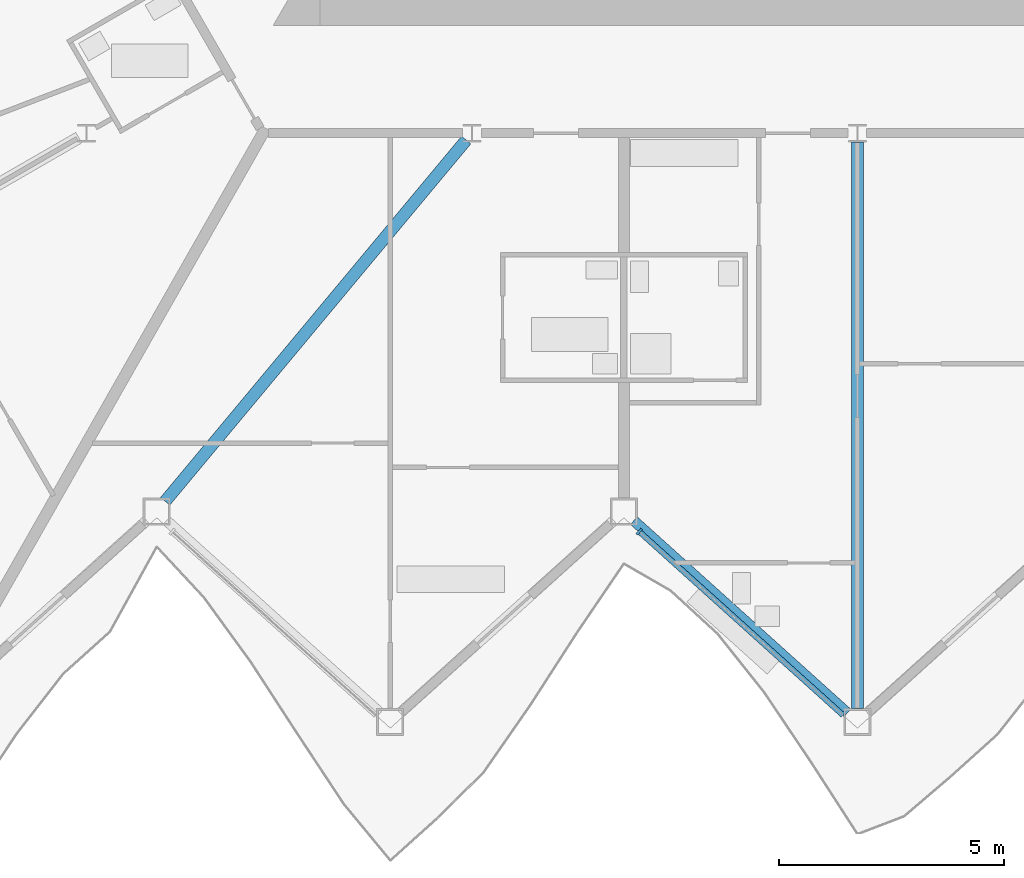
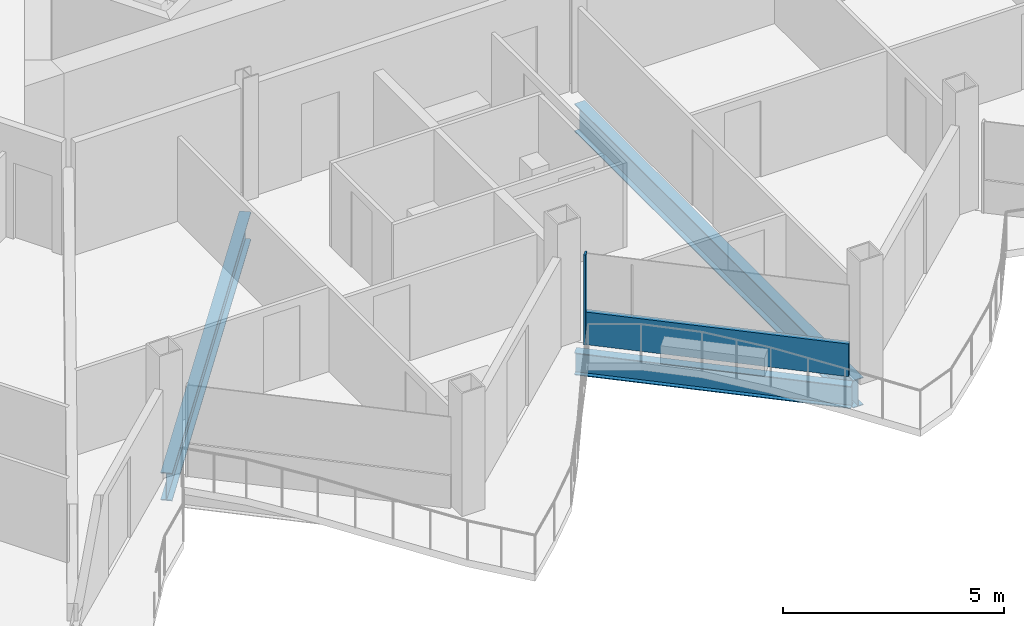
# One storey, part 5 of 26: 3 beams, 2 members, 1 element without a shape of its own.
"""IFC4 building model written with IfcOpenShell, lengths in metres."""

from ifc_helpers import new_model, si_unit, direction, frame, origin, origin_2d, place, context, subcontext, project, spatial, rectangle, i_section, extrude, material, layer, layer_set, material_profile, profile_set, type_object, element, aggregate, save


model = new_model("IFC4")

# Units and contexts
model_context = context("Model", 3, precision=1e-05, world=origin(), true_north=direction((0.0, 1.0)))
body_context = subcontext(model_context, "Body", "Model", "MODEL_VIEW")
ifc_project = project(units=[si_unit("LENGTHUNIT", "METRE"), si_unit("AREAUNIT", "SQUARE_METRE"), si_unit("VOLUMEUNIT", "CUBIC_METRE"), si_unit("PLANEANGLEUNIT", "RADIAN"), si_unit("MASSUNIT", "GRAM", prefix="KILO")], contexts=[model_context])

# Site, building, storey
site_placement = place(None, origin())
site = spatial("IfcSite", under=ifc_project, at=site_placement, CompositionType="ELEMENT")
building_placement = place(site_placement, origin())
building = spatial("IfcBuilding", under=site, at=building_placement, Name="Cormorant Prow Tower", CompositionType="ELEMENT")
storey_placement = place(building_placement, frame((0.0, 0.0, 339.199951171875)))
storey = spatial("IfcBuildingStorey", under=building, at=storey_placement, Name="L76", CompositionType="ELEMENT", Elevation=339.199951171875)

# Beams
ifc_material_1 = material(Name="Structural steel ASTM A992 Gr 50", Category="steel")
ifc_material_profile_1 = material_profile(ifc_material_1, i_section(OverallWidth=0.267822265625, OverallDepth=0.77001953125, WebThickness=0.015625, FlangeThickness=0.025390625, at=origin_2d()), Name="W30x132")
ifc_profile_set_1 = profile_set([ifc_material_profile_1], Name="Structural steel ASTM A992 Gr 50")
beam_type_1 = type_object("IfcBeamType", Name="Radial floor beam W30x132", PredefinedType="BEAM", material=ifc_profile_set_1)
beam_1_placement = place(storey_placement, frame((-8.705078125, -10.057373046875, -0.684814453125), z_axis=(-0.640239469619, -0.768175384624, 0.0), x_axis=(0.768175384624, -0.640239469619, 0.0)))
element("IfcBeam", 1, at=beam_1_placement, inside=storey, type_object=beam_type_1, Name="Radial floor beam FB3 6 L76", PredefinedType="BEAM", context=body_context, shape_type="SweptSolid", body=[
    extrude(i_section(OverallWidth=0.267822265625, OverallDepth=0.77001953125, WebThickness=0.015625, FlangeThickness=0.025390625, at=origin_2d()), origin(), (0.0, 0.0, 1.0), 10.465087890625),
])
beam_2_placement = place(storey_placement, frame((0.0, -10.103271484375, -0.684814453125), z_axis=(0.0, -1.0, 0.0), x_axis=(1.0, 0.0, 0.0)))
element("IfcBeam", 2, at=beam_2_placement, inside=storey, type_object=beam_type_1, Name="Radial floor beam FB3 7 L76", PredefinedType="BEAM", context=body_context, shape_type="SweptSolid", body=[
    extrude(i_section(OverallWidth=0.267822265625, OverallDepth=0.77001953125, WebThickness=0.015625, FlangeThickness=0.025390625, at=origin_2d()), origin(), (0.0, 0.0, 1.0), 12.604736328125),
])

# Curtain wall, members
ifc_material_2 = material(Name="Aluminium 6063-T6", Category="aluminium")
ifc_layer = layer(ifc_material_2, 0.159912109375)
ifc_layer_set = layer_set([ifc_layer], Name="Aluminium 6063-T6")
curtain_wall_type = type_object("IfcCurtainWallType", Name="Residential unitised curtain wall 160", PredefinedType="NOTDEFINED", material=ifc_layer_set)
curtain_wall_placement = place(storey_placement, origin())
curtain_wall = element("IfcCurtainWall", 3, at=curtain_wall_placement, inside=storey, type_object=curtain_wall_type, Name="Residential curtain wall S04", PredefinedType="NOTDEFINED")
ifc_material_3 = material(Name="Aluminium 6063-T6", Category="aluminium")
ifc_material_profile_2 = material_profile(ifc_material_3, rectangle(XDim=0.159912109375, YDim=0.050048828125, at=origin_2d()), Name="Residential mullion 50x160")
ifc_profile_set_2 = profile_set([ifc_material_profile_2], Name="Aluminium 6063-T6")
member_type_1 = type_object("IfcMemberType", Name="Residential mullion 50x160", PredefinedType="MULLION", material=ifc_profile_set_2)
member_1_placement = place(storey_placement, frame((-4.8564453125, -18.772705078125, 0.0), z_axis=(0.0, 0.0, 1.0), x_axis=(0.669130588071, 0.743144841944, 0.0)))
member_1 = element("IfcMember", 4, at=member_1_placement, type_object=member_type_1, Name="Residential mullion S04", PredefinedType="MULLION", context=body_context, shape_type="SweptSolid", body=[
    extrude(rectangle(XDim=0.159912109375, YDim=0.050048828125, at=origin_2d()), origin(), (0.0, 0.0, 1.0), 2.488037109375),
])
ifc_material_4 = material(Name="Terracotta", Category="masonry")
ifc_material_profile_3 = material_profile(ifc_material_4, rectangle(XDim=0.1201171875, YDim=0.89990234375, at=origin_2d()), Name="Residential terracotta spandrel rail 120x900")
ifc_profile_set_3 = profile_set([ifc_material_profile_3], Name="Terracotta")
member_type_2 = type_object("IfcMemberType", Name="Residential terracotta spandrel rail 120x900", PredefinedType="USERDEFINED", material=ifc_profile_set_3)
member_2_placement = place(storey_placement, frame((-4.837890625, -18.789306640625, 0.449951171875), z_axis=(0.743144281997, -0.669131209954, 0.0), x_axis=(0.669131209954, 0.743144281997, 0.0)))
member_2 = element("IfcMember", 5, at=member_2_placement, type_object=member_type_2, Name="Residential spandrel rail S04", ObjectType="TRANSOM", PredefinedType="USERDEFINED", context=body_context, shape_type="SweptSolid", body=[
    extrude(rectangle(XDim=0.1201171875, YDim=0.89990234375, at=origin_2d()), origin(), (0.0, 0.0, 1.0), 6.075927734375),
])
aggregate(curtain_wall, [member_1, member_2])

# Beam
ifc_material_5 = material(Name="Structural steel ASTM A992 Gr 50", Category="steel")
ifc_material_profile_4 = material_profile(ifc_material_5, i_section(OverallWidth=0.22900390625, OverallDepth=0.612060546875, WebThickness=0.011962890625, FlangeThickness=0.01953125, at=origin_2d()), Name="W24x84")
ifc_profile_set_4 = profile_set([ifc_material_profile_4], Name="Structural steel ASTM A992 Gr 50")
beam_type_2 = type_object("IfcBeamType", Name="Spandrel beam W24x84", PredefinedType="SPANDREL", material=ifc_profile_set_4)
beam_3_placement = place(storey_placement, frame((-4.97607421875, -18.527587890625, -0.60595703125), z_axis=(0.743144186555, -0.669131315954, 0.0), x_axis=(0.669131315954, 0.743144186555, 0.0)))
element("IfcBeam", 6, at=beam_3_placement, inside=storey, type_object=beam_type_2, Name="Spandrel beam SB3 S04-S05 L76", PredefinedType="SPANDREL", context=body_context, shape_type="SweptSolid", body=[
    extrude(i_section(OverallWidth=0.22900390625, OverallDepth=0.612060546875, WebThickness=0.011962890625, FlangeThickness=0.01953125, at=origin_2d()), origin(), (0.0, 0.0, 1.0), 6.39599609375),
])

save(model, "model.ifc")
